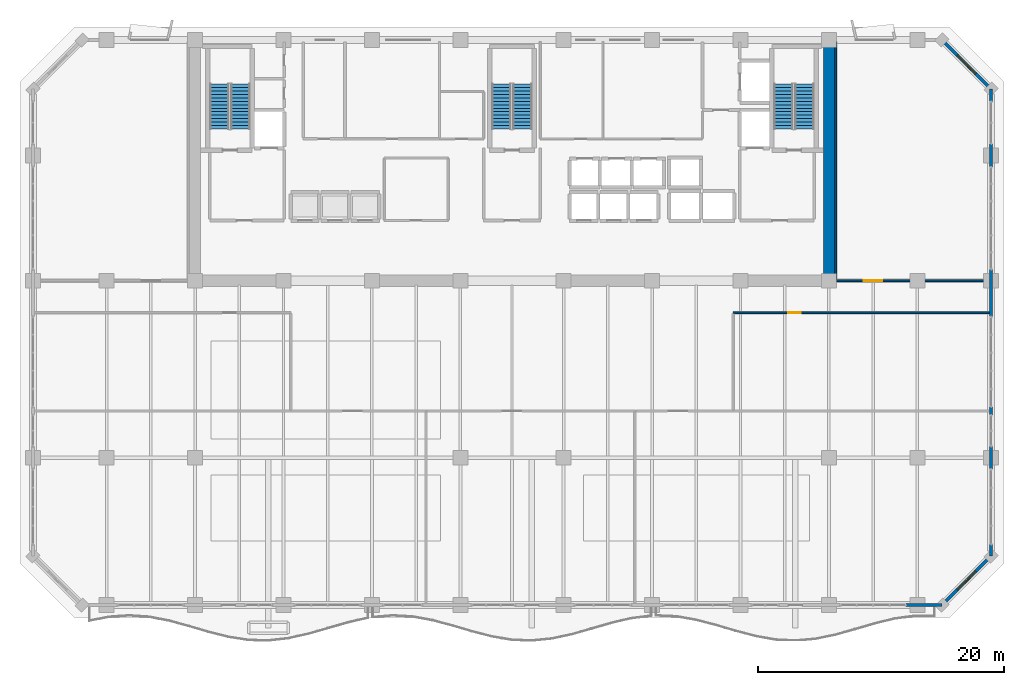
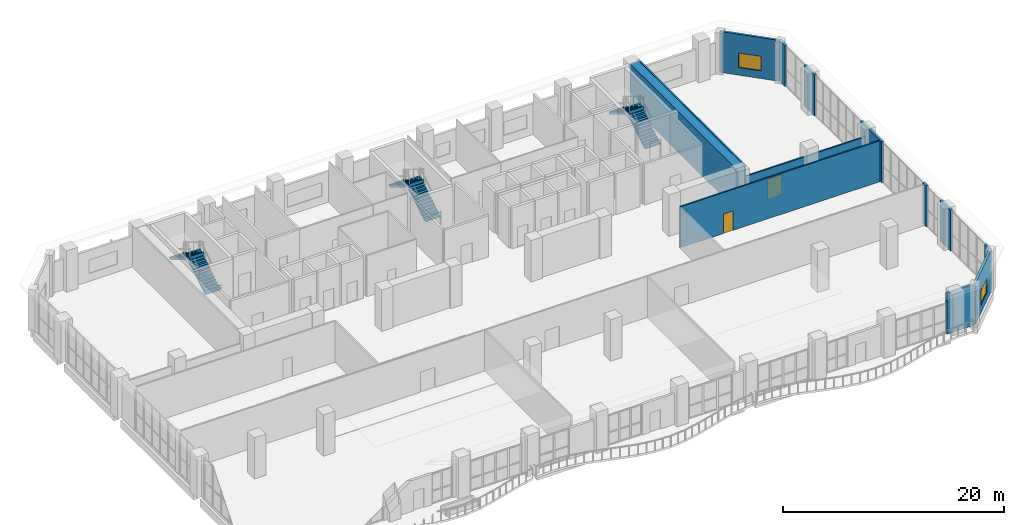
# One storey, part 33 of 37: 13 walls, 6 stair flights, 2 doors, 2 windows, 4 openings, 3 elements without a shape of their own.
"""IFC4 building model written with IfcOpenShell, lengths in metres."""

from ifc_helpers import new_model, si_unit, direction, frame, frame_2d, origin, place, context, subcontext, project, spatial, polyline, rectangle, outline, extrude, material, layer, layer_set, type_object, element, fill, aggregate, save


model = new_model("IFC4")

# Units and contexts
model_context = context("Model", 3, precision=1e-05, world=origin(), true_north=direction((0.0, 1.0)))
body_context = subcontext(model_context, "Body", "Model", "MODEL_VIEW")
ifc_project = project(units=[si_unit("LENGTHUNIT", "METRE"), si_unit("AREAUNIT", "SQUARE_METRE"), si_unit("VOLUMEUNIT", "CUBIC_METRE"), si_unit("PLANEANGLEUNIT", "RADIAN"), si_unit("MASSUNIT", "GRAM", prefix="KILO")], contexts=[model_context])

# Site, building, storey
site_placement = place(None, origin())
site = spatial("IfcSite", under=ifc_project, at=site_placement, CompositionType="ELEMENT")
building_placement = place(site_placement, origin())
building = spatial("IfcBuilding", under=site, at=building_placement, Name="Kaelvorn Grand Hotel", CompositionType="ELEMENT")
storey_placement = place(building_placement, frame((0.0, 0.0, 224.35009765625)))
storey = spatial("IfcBuildingStorey", under=building, at=storey_placement, Name="L55", CompositionType="ELEMENT", Elevation=224.35009765625)

# Walls
ifc_material_1 = material(Name="Concrete C60/75", Category="concrete")
ifc_layer_1 = layer(ifc_material_1, 0.89990234375)
ifc_layer_set_1 = layer_set([ifc_layer_1], Name="Concrete C60/75")
wall_type_1 = type_object("IfcWallType", Name="WL-CORE-900-C60", PredefinedType="SHEAR", material=ifc_layer_set_1)
wall_1_placement = place(storey_placement, frame((67.800048828125, 29.39990234375, 0.0), z_axis=(0.0, 0.0, 1.0), x_axis=(0.0, 1.0, 0.0)))
element("IfcWall", 1, at=wall_1_placement, inside=storey, type_object=wall_type_1, Name="L55 Rear-Core East Shear Wall", PredefinedType="SHEAR", context=body_context, shape_type="SweptSolid", body=[
    extrude(rectangle(XDim=19.2001953125, YDim=0.89990234375, at=frame_2d((9.60009765625, 0.0))), origin(), (0.0, 0.0, 1.0), 4.52001953125),
])
ifc_material_2 = material(Name="Concrete C40/50", Category="concrete")
ifc_layer_2 = layer(ifc_material_2, 0.239990234375)
ifc_layer_set_2 = layer_set([ifc_layer_2], Name="Concrete C40/50")
wall_type_2 = type_object("IfcWallType", Name="WL-EXT-240-C40", PredefinedType="SOLIDWALL", material=ifc_layer_set_2)
wall_2_placement = place(storey_placement, frame((74.074951171875, 3.0, 0.0), z_axis=(0.0, 0.0, 1.0), x_axis=(1.0, 0.0, 0.0)))
element("IfcWall", 2, at=wall_2_placement, inside=storey, type_object=wall_type_2, Name="L55 Exterior Architectural Concrete Wall 01 Pier 10", PredefinedType="SOLIDWALL", context=body_context, shape_type="SweptSolid", body=[
    extrude(rectangle(XDim=2.925048828125, YDim=0.239990234375, at=frame_2d((1.46240234375, 0.0))), origin(), (0.0, 0.0, 1.0), 4.52001953125),
])

# Wall, opening, window
wall_3_placement = place(storey_placement, frame((77.0, 3.0, 0.0), z_axis=(0.0, 0.0, 1.0), x_axis=(0.707106781187, 0.707106781187, 0.0)))
wall_3 = element("IfcWall", 3, at=wall_3_placement, inside=storey, type_object=wall_type_2, Name="L55 Exterior Architectural Concrete Wall 02", PredefinedType="SOLIDWALL", context=body_context, shape_type="SweptSolid", body=[
    extrude(rectangle(XDim=5.65673828125, YDim=0.239990234375, at=frame_2d((2.828369140625, 0.0))), origin(), (0.0, 0.0, 1.0), 4.52001953125),
])
opening_1_placement = place(wall_3_placement, frame((1.7783203125, 0.0, 0.85009765625)))
opening_1 = element("IfcOpeningElement", 4, at=opening_1_placement, cuts=wall_3, Name="Opening W7", PredefinedType="OPENING", context=body_context, shape_type="SweptSolid", body=[
    extrude(rectangle(XDim=2.10009765625, YDim=1.60009765625, at=frame_2d((1.050048828125, 0.800048828125))), frame((0.0, 0.1298828125, 0.0), z_axis=(0.0, -1.0, 0.0), x_axis=(1.0, 0.0, 0.0)), (0.0, 0.0, 1.0), 0.260009765625),
])
ifc_material_3 = material(Name="Laminated Low-E Glass", Category="glass")
window_type = type_object("IfcWindowType", Name="WIN-CHM-2100x1600", PartitioningType="SINGLE_PANEL", PredefinedType="WINDOW", material=ifc_material_3)
window_1_placement = place(opening_1_placement, origin())
window_1 = element("IfcWindow", 5, at=window_1_placement, inside=storey, type_object=window_type, Name="L55 Chamfered 45-Degree Corner Window SE", OverallHeight=1.60009765625, OverallWidth=2.10009765625, PartitioningType="SINGLE_PANEL", PredefinedType="WINDOW", context=body_context, shape_type="SweptSolid", body=[
    extrude(rectangle(XDim=2.10009765625, YDim=1.60009765625, at=frame_2d((1.050048828125, 0.800048828125))), frame((0.0, 0.030029296875, 0.0), z_axis=(0.0, -1.0, 0.0), x_axis=(1.0, 0.0, 0.0)), (0.0, 0.0, 1.0), 0.06005859375),
])
fill(opening_1, window_1)

# Walls
wall_4_placement = place(storey_placement, frame((81.0, 7.0, 0.0), z_axis=(0.0, 0.0, 1.0), x_axis=(0.0, 1.0, 0.0)))
element("IfcWall", 6, at=wall_4_placement, inside=storey, type_object=wall_type_2, Name="L55 Exterior Architectural Concrete Wall 03 Pier 1", PredefinedType="SOLIDWALL", context=body_context, shape_type="SweptSolid", body=[
    extrude(rectangle(XDim=0.925048828125, YDim=0.239990234375, at=frame_2d((0.46240234375, 0.0))), origin(), (0.0, 0.0, 1.0), 4.52001953125),
])
wall_5_placement = place(storey_placement, frame((81.0, 14.074951171875, 0.0), z_axis=(0.0, 0.0, 1.0), x_axis=(0.0, 1.0, 0.0)))
element("IfcWall", 7, at=wall_5_placement, inside=storey, type_object=wall_type_2, Name="L55 Exterior Architectural Concrete Wall 03 Pier 2", PredefinedType="SOLIDWALL", context=body_context, shape_type="SweptSolid", body=[
    extrude(rectangle(XDim=1.85009765625, YDim=0.239990234375, at=frame_2d((0.925048828125, 0.0))), origin(), (0.0, 0.0, 1.0), 4.52001953125),
])
wall_6_placement = place(storey_placement, frame((81.0, 18.47509765625, 0.0), z_axis=(0.0, 0.0, 1.0), x_axis=(0.0, 1.0, 0.0)))
element("IfcWall", 8, at=wall_6_placement, inside=storey, type_object=wall_type_2, Name="L55 Exterior Architectural Concrete Wall 03 Pier 3", PredefinedType="SOLIDWALL", context=body_context, shape_type="SweptSolid", body=[
    extrude(rectangle(XDim=0.64990234375, YDim=0.239990234375, at=frame_2d((0.324951171875, 0.0))), origin(), (0.0, 0.0, 1.0), 4.52001953125),
])
wall_7_placement = place(storey_placement, frame((81.0, 26.47509765625, 0.0), z_axis=(0.0, 0.0, 1.0), x_axis=(0.0, 1.0, 0.0)))
element("IfcWall", 9, at=wall_7_placement, inside=storey, type_object=wall_type_2, Name="L55 Exterior Architectural Concrete Wall 03 Pier 4", PredefinedType="SOLIDWALL", context=body_context, shape_type="SweptSolid", body=[
    extrude(rectangle(XDim=3.849853515625, YDim=0.239990234375, at=frame_2d((1.9248046875, 0.0))), origin(), (0.0, 0.0, 1.0), 4.52001953125),
])
wall_8_placement = place(storey_placement, frame((81.0, 38.675048828125, 0.0), z_axis=(0.0, 0.0, 1.0), x_axis=(0.0, 1.0, 0.0)))
element("IfcWall", 10, at=wall_8_placement, inside=storey, type_object=wall_type_2, Name="L55 Exterior Architectural Concrete Wall 03 Pier 5", PredefinedType="SOLIDWALL", context=body_context, shape_type="SweptSolid", body=[
    extrude(rectangle(XDim=1.849853515625, YDim=0.239990234375, at=frame_2d((0.9248046875, 0.0))), origin(), (0.0, 0.0, 1.0), 4.52001953125),
])
wall_9_placement = place(storey_placement, frame((81.0, 43.9951171875, 0.0), z_axis=(0.0, 0.0, 1.0), x_axis=(0.0, 1.0, 0.0)))
element("IfcWall", 11, at=wall_9_placement, inside=storey, type_object=wall_type_2, Name="L55 Exterior Architectural Concrete Wall 03 Pier 6", PredefinedType="SOLIDWALL", context=body_context, shape_type="SweptSolid", body=[
    extrude(rectangle(XDim=1.0048828125, YDim=0.239990234375, at=frame_2d((0.50244140625, 0.0))), origin(), (0.0, 0.0, 1.0), 4.52001953125),
])

# Wall, opening, window
wall_10_placement = place(storey_placement, frame((81.0, 45.0, 0.0), z_axis=(0.0, 0.0, 1.0), x_axis=(-0.707106781187, 0.707106781187, 0.0)))
wall_10 = element("IfcWall", 12, at=wall_10_placement, inside=storey, type_object=wall_type_2, Name="L55 Exterior Architectural Concrete Wall 04", PredefinedType="SOLIDWALL", context=body_context, shape_type="SweptSolid", body=[
    extrude(rectangle(XDim=5.65673828125, YDim=0.239990234375, at=frame_2d((2.828369140625, 0.0))), origin(), (0.0, 0.0, 1.0), 4.52001953125),
])
opening_2_placement = place(wall_10_placement, frame((1.7783203125, 0.0, 0.85009765625)))
opening_2 = element("IfcOpeningElement", 13, at=opening_2_placement, cuts=wall_10, Name="Opening W7", PredefinedType="OPENING", context=body_context, shape_type="SweptSolid", body=[
    extrude(rectangle(XDim=2.10009765625, YDim=1.60009765625, at=frame_2d((1.050048828125, 0.800048828125))), frame((0.0, 0.1298828125, 0.0), z_axis=(0.0, -1.0, 0.0), x_axis=(1.0, 0.0, 0.0)), (0.0, 0.0, 1.0), 0.260009765625),
])
window_2_placement = place(opening_2_placement, origin())
window_2 = element("IfcWindow", 14, at=window_2_placement, inside=storey, type_object=window_type, Name="L55 Chamfered 45-Degree Corner Window NE", OverallHeight=1.60009765625, OverallWidth=2.10009765625, PartitioningType="SINGLE_PANEL", PredefinedType="WINDOW", context=body_context, shape_type="SweptSolid", body=[
    extrude(rectangle(XDim=2.10009765625, YDim=1.60009765625, at=frame_2d((1.050048828125, 0.800048828125))), frame((0.0, 0.030029296875, 0.0), z_axis=(0.0, -1.0, 0.0), x_axis=(1.0, 0.0, 0.0)), (0.0, 0.0, 1.0), 0.06005859375),
])
fill(opening_2, window_2)

# Wall, opening, door
ifc_material_4 = material(Name="Acoustic Gypsum & Stud Partition")
ifc_layer_3 = layer(ifc_material_4, 0.14990234375)
ifc_layer_set_3 = layer_set([ifc_layer_3], Name="Acoustic Gypsum & Stud Partition")
wall_type_3 = type_object("IfcWallType", Name="WL-PART-150-EI60", PredefinedType="PARTITIONING", material=ifc_layer_set_3)
wall_11_placement = place(storey_placement, frame((60.0, 26.800048828125, 0.0), z_axis=(0.0, 0.0, 1.0), x_axis=(1.0, 0.0, 0.0)))
wall_11 = element("IfcWall", 15, at=wall_11_placement, inside=storey, type_object=wall_type_3, Name="L55 East Sky Meeting Salon N Partition", PredefinedType="PARTITIONING", context=body_context, shape_type="SweptSolid", body=[
    extrude(rectangle(XDim=20.85009765625, YDim=0.14990234375, at=frame_2d((10.425048828125, 0.0))), origin(), (0.0, 0.0, 1.0), 4.52001953125),
])
opening_3_placement = place(wall_11_placement, frame((4.5, 0.0, 0.0)))
opening_3 = element("IfcOpeningElement", 16, at=opening_3_placement, cuts=wall_11, Name="Opening DI3", PredefinedType="OPENING", context=body_context, shape_type="SweptSolid", body=[
    extrude(rectangle(XDim=1.0, YDim=2.14990234375, at=frame_2d((0.5, 1.074951171875))), frame((0.0, 0.0849609375, 0.0), z_axis=(0.0, -1.0, 0.0), x_axis=(1.0, 0.0, 0.0)), (0.0, 0.0, 1.0), 0.169921875),
])
ifc_material_5 = material(Name="Timber Veneer Fire Leaf", Category="wood")
door_type_1 = type_object("IfcDoorType", Name="DR-INT-GUEST-1000x2150", OperationType="NOTDEFINED", PredefinedType="DOOR", material=ifc_material_5)
door_1_placement = place(opening_3_placement, origin())
door_1 = element("IfcDoor", 17, at=door_1_placement, inside=storey, type_object=door_type_1, Name="L55 East Sky Meeting Salon Door", OperationType="SINGLE_SWING_RIGHT", OverallHeight=2.14990234375, OverallWidth=1.0, PredefinedType="DOOR", context=body_context, shape_type="SweptSolid", body=[
    extrude(rectangle(XDim=1.0, YDim=2.14990234375, at=frame_2d((0.5, 1.074951171875))), frame((0.0, 0.02490234375, 0.0), z_axis=(0.0, -1.0, 0.0), x_axis=(1.0, 0.0, 0.0)), (0.0, 0.0, 1.0), 0.050048828125),
])
fill(opening_3, door_1)

wall_12_placement = place(storey_placement, frame((68.35009765625, 29.39990234375, 0.0), z_axis=(0.0, 0.0, 1.0), x_axis=(1.0, 0.0, 0.0)))
wall_12 = element("IfcWall", 18, at=wall_12_placement, inside=storey, type_object=wall_type_3, Name="L55 Club Concierge Secretariat S Partition", PredefinedType="PARTITIONING", context=body_context, shape_type="SweptSolid", body=[
    extrude(rectangle(XDim=12.5, YDim=0.14990234375, at=frame_2d((6.25, 0.0))), origin(), (0.0, 0.0, 1.0), 3.39990234375),
])
opening_4_placement = place(wall_12_placement, frame((2.300048828125, 0.0, 0.0)))
opening_4 = element("IfcOpeningElement", 19, at=opening_4_placement, cuts=wall_12, Name="Opening DI5", PredefinedType="OPENING", context=body_context, shape_type="SweptSolid", body=[
    extrude(rectangle(XDim=1.5, YDim=2.25, at=frame_2d((0.75, 1.125))), frame((0.0, 0.0849609375, 0.0), z_axis=(0.0, -1.0, 0.0), x_axis=(1.0, 0.0, 0.0)), (0.0, 0.0, 1.0), 0.169921875),
])
door_type_2 = type_object("IfcDoorType", Name="DR-INT-SALON-1500x2250", OperationType="DOUBLE_DOOR_SINGLE_SWING", PredefinedType="DOOR", material=ifc_material_5)
door_2_placement = place(opening_4_placement, origin())
door_2 = element("IfcDoor", 20, at=door_2_placement, inside=storey, type_object=door_type_2, Name="L55 Club Concierge Secretariat Door", OperationType="DOUBLE_DOOR_SINGLE_SWING", OverallHeight=2.25, OverallWidth=1.5, PredefinedType="DOOR", context=body_context, shape_type="SweptSolid", body=[
    extrude(rectangle(XDim=1.5, YDim=2.25, at=frame_2d((0.75, 1.125))), frame((0.0, 0.02490234375, 0.0), z_axis=(0.0, -1.0, 0.0), x_axis=(1.0, 0.0, 0.0)), (0.0, 0.0, 1.0), 0.050048828125),
])
fill(opening_4, door_2)

# Wall
wall_13_placement = place(storey_placement, frame((68.35009765625, 29.47998046875, 0.0), z_axis=(0.0, 0.0, 1.0), x_axis=(0.0, 1.0, 0.0)))
element("IfcWall", 21, at=wall_13_placement, inside=storey, type_object=wall_type_3, Name="L55 Club Concierge Secretariat W Partition", PredefinedType="PARTITIONING", context=body_context, shape_type="SweptSolid", body=[
    extrude(rectangle(XDim=19.3701171875, YDim=0.14990234375, at=frame_2d((9.68505859375, 0.0))), origin(), (0.0, 0.0, 1.0), 4.52001953125),
])

# Stair, stair flights
stair_type = type_object("IfcStairType", Name="STR-DOG-1560-R07", PredefinedType="HALF_TURN_STAIR", material=ifc_material_2)
stair_1_placement = place(storey_placement, origin())
stair_1 = element("IfcStair", 22, at=stair_1_placement, inside=storey, type_object=stair_type, Name="L55 West Core Exit Stair ST1", PredefinedType="HALF_TURN_STAIR")
stair_flight_type = type_object("IfcStairFlightType", Name="FLG-DOG-1560-R07", PredefinedType="STRAIGHT", material=ifc_material_2)
stair_flight_1_placement = place(storey_placement, frame((19.89990234375, 41.760009765625, 0.0), z_axis=(0.0, 0.0, 1.0), x_axis=(0.0, 1.0, 0.0)))
stair_flight_1 = element("IfcStairFlight", 23, at=stair_flight_1_placement, type_object=stair_flight_type, Name="ST1 flight 1", NumberOfRisers=14, NumberOfTreads=13, PredefinedType="STRAIGHT", RiserHeight=0.171428571, TreadLength=0.28, context=body_context, shape_type="SweptSolid", body=[
    extrude(outline(polyline([(-0.0048828125, 0.0), (-0.0048828125, 0.0400390625), (0.0, 0.17138671875), (0.280029296875, 0.17138671875), (0.280029296875, 0.3427734375), (0.56005859375, 0.3427734375), (0.56005859375, 0.514404296875), (0.840087890625, 0.514404296875), (0.840087890625, 0.685791015625), (1.1201171875, 0.685791015625), (1.1201171875, 0.857177734375), (1.39990234375, 0.857177734375), (1.39990234375, 1.028564453125), (1.679931640625, 1.028564453125), (1.679931640625, 1.199951171875), (1.9599609375, 1.199951171875), (1.9599609375, 1.371337890625), (2.239990234375, 1.371337890625), (2.239990234375, 1.54296875), (2.52001953125, 1.54296875), (2.52001953125, 1.71435546875), (2.800048828125, 1.71435546875), (2.800048828125, 1.8857421875), (3.080078125, 1.8857421875), (3.080078125, 2.05712890625), (3.360107421875, 2.05712890625), (3.360107421875, 2.228515625), (3.639892578125, 2.228515625), (3.639892578125, 2.39990234375), (3.64501953125, 2.39990234375), (3.64501953125, 2.052734375), (0.287109375, 0.0), (-0.0048828125, 0.0)])), frame((0.0, 0.780029296875, 0.0), z_axis=(0.0, -1.0, 0.0), x_axis=(1.0, 0.0, 0.0)), (0.0, 0.0, 1.0), 1.56005859375),
])
stair_flight_2_placement = place(storey_placement, frame((18.179931640625, 45.39990234375, 2.39990234375), z_axis=(0.0, 0.0, 1.0), x_axis=(0.0, -1.0, 0.0)))
stair_flight_2 = element("IfcStairFlight", 24, at=stair_flight_2_placement, type_object=stair_flight_type, Name="ST1 flight 2", NumberOfRisers=14, NumberOfTreads=13, PredefinedType="STRAIGHT", RiserHeight=0.171428571, TreadLength=0.28, context=body_context, shape_type="SweptSolid", body=[
    extrude(outline(polyline([(-0.0048828125, 0.0), (-0.0048828125, 0.0400390625), (0.0, 0.17138671875), (0.280029296875, 0.17138671875), (0.280029296875, 0.3427734375), (0.56005859375, 0.3427734375), (0.56005859375, 0.514404296875), (0.840087890625, 0.514404296875), (0.840087890625, 0.685791015625), (1.1201171875, 0.685791015625), (1.1201171875, 0.857177734375), (1.39990234375, 0.857177734375), (1.39990234375, 1.028564453125), (1.679931640625, 1.028564453125), (1.679931640625, 1.199951171875), (1.9599609375, 1.199951171875), (1.9599609375, 1.371337890625), (2.239990234375, 1.371337890625), (2.239990234375, 1.54296875), (2.52001953125, 1.54296875), (2.52001953125, 1.71435546875), (2.800048828125, 1.71435546875), (2.800048828125, 1.8857421875), (3.080078125, 1.8857421875), (3.080078125, 2.05712890625), (3.360107421875, 2.05712890625), (3.360107421875, 2.228515625), (3.639892578125, 2.228515625), (3.639892578125, 2.39990234375), (3.64501953125, 2.39990234375), (3.64501953125, 2.052734375), (0.287109375, 0.0), (-0.0048828125, 0.0)])), frame((0.0, 0.780029296875, 0.0), z_axis=(0.0, -1.0, 0.0), x_axis=(1.0, 0.0, 0.0)), (0.0, 0.0, 1.0), 1.56005859375),
])
aggregate(stair_1, [stair_flight_1, stair_flight_2])

stair_2_placement = place(storey_placement, origin())
stair_2 = element("IfcStair", 25, at=stair_2_placement, inside=storey, type_object=stair_type, Name="L55 Central Core Exit Stair ST2", PredefinedType="HALF_TURN_STAIR")
stair_flight_3_placement = place(storey_placement, frame((42.860107421875, 41.760009765625, 0.0), z_axis=(0.0, 0.0, 1.0), x_axis=(0.0, 1.0, 0.0)))
stair_flight_3 = element("IfcStairFlight", 26, at=stair_flight_3_placement, type_object=stair_flight_type, Name="ST2 flight 1", NumberOfRisers=14, NumberOfTreads=13, PredefinedType="STRAIGHT", RiserHeight=0.171428571, TreadLength=0.28, context=body_context, shape_type="SweptSolid", body=[
    extrude(outline(polyline([(-0.0048828125, 0.0), (-0.0048828125, 0.0400390625), (0.0, 0.17138671875), (0.280029296875, 0.17138671875), (0.280029296875, 0.3427734375), (0.56005859375, 0.3427734375), (0.56005859375, 0.514404296875), (0.840087890625, 0.514404296875), (0.840087890625, 0.685791015625), (1.1201171875, 0.685791015625), (1.1201171875, 0.857177734375), (1.39990234375, 0.857177734375), (1.39990234375, 1.028564453125), (1.679931640625, 1.028564453125), (1.679931640625, 1.199951171875), (1.9599609375, 1.199951171875), (1.9599609375, 1.371337890625), (2.239990234375, 1.371337890625), (2.239990234375, 1.54296875), (2.52001953125, 1.54296875), (2.52001953125, 1.71435546875), (2.800048828125, 1.71435546875), (2.800048828125, 1.8857421875), (3.080078125, 1.8857421875), (3.080078125, 2.05712890625), (3.360107421875, 2.05712890625), (3.360107421875, 2.228515625), (3.639892578125, 2.228515625), (3.639892578125, 2.39990234375), (3.64501953125, 2.39990234375), (3.64501953125, 2.052734375), (0.287109375, 0.0), (-0.0048828125, 0.0)])), frame((0.0, 0.780029296875, 0.0), z_axis=(0.0, -1.0, 0.0), x_axis=(1.0, 0.0, 0.0)), (0.0, 0.0, 1.0), 1.56005859375),
])
stair_flight_4_placement = place(storey_placement, frame((41.139892578125, 45.39990234375, 2.39990234375), z_axis=(0.0, 0.0, 1.0), x_axis=(0.0, -1.0, 0.0)))
stair_flight_4 = element("IfcStairFlight", 27, at=stair_flight_4_placement, type_object=stair_flight_type, Name="ST2 flight 2", NumberOfRisers=14, NumberOfTreads=13, PredefinedType="STRAIGHT", RiserHeight=0.171428571, TreadLength=0.28, context=body_context, shape_type="SweptSolid", body=[
    extrude(outline(polyline([(-0.0048828125, 0.0), (-0.0048828125, 0.0400390625), (0.0, 0.17138671875), (0.280029296875, 0.17138671875), (0.280029296875, 0.3427734375), (0.56005859375, 0.3427734375), (0.56005859375, 0.514404296875), (0.840087890625, 0.514404296875), (0.840087890625, 0.685791015625), (1.1201171875, 0.685791015625), (1.1201171875, 0.857177734375), (1.39990234375, 0.857177734375), (1.39990234375, 1.028564453125), (1.679931640625, 1.028564453125), (1.679931640625, 1.199951171875), (1.9599609375, 1.199951171875), (1.9599609375, 1.371337890625), (2.239990234375, 1.371337890625), (2.239990234375, 1.54296875), (2.52001953125, 1.54296875), (2.52001953125, 1.71435546875), (2.800048828125, 1.71435546875), (2.800048828125, 1.8857421875), (3.080078125, 1.8857421875), (3.080078125, 2.05712890625), (3.360107421875, 2.05712890625), (3.360107421875, 2.228515625), (3.639892578125, 2.228515625), (3.639892578125, 2.39990234375), (3.64501953125, 2.39990234375), (3.64501953125, 2.052734375), (0.287109375, 0.0), (-0.0048828125, 0.0)])), frame((0.0, 0.780029296875, 0.0), z_axis=(0.0, -1.0, 0.0), x_axis=(1.0, 0.0, 0.0)), (0.0, 0.0, 1.0), 1.56005859375),
])
aggregate(stair_2, [stair_flight_3, stair_flight_4])

stair_3_placement = place(storey_placement, origin())
stair_3 = element("IfcStair", 28, at=stair_3_placement, inside=storey, type_object=stair_type, Name="L55 East Core Exit Stair ST3", PredefinedType="HALF_TURN_STAIR")
stair_flight_5_placement = place(storey_placement, frame((65.820068359375, 41.760009765625, 0.0), z_axis=(0.0, 0.0, 1.0), x_axis=(0.0, 1.0, 0.0)))
stair_flight_5 = element("IfcStairFlight", 29, at=stair_flight_5_placement, type_object=stair_flight_type, Name="ST3 flight 1", NumberOfRisers=14, NumberOfTreads=13, PredefinedType="STRAIGHT", RiserHeight=0.171428571, TreadLength=0.28, context=body_context, shape_type="SweptSolid", body=[
    extrude(outline(polyline([(-0.0048828125, 0.0), (-0.0048828125, 0.0400390625), (0.0, 0.17138671875), (0.280029296875, 0.17138671875), (0.280029296875, 0.3427734375), (0.56005859375, 0.3427734375), (0.56005859375, 0.514404296875), (0.840087890625, 0.514404296875), (0.840087890625, 0.685791015625), (1.1201171875, 0.685791015625), (1.1201171875, 0.857177734375), (1.39990234375, 0.857177734375), (1.39990234375, 1.028564453125), (1.679931640625, 1.028564453125), (1.679931640625, 1.199951171875), (1.9599609375, 1.199951171875), (1.9599609375, 1.371337890625), (2.239990234375, 1.371337890625), (2.239990234375, 1.54296875), (2.52001953125, 1.54296875), (2.52001953125, 1.71435546875), (2.800048828125, 1.71435546875), (2.800048828125, 1.8857421875), (3.080078125, 1.8857421875), (3.080078125, 2.05712890625), (3.360107421875, 2.05712890625), (3.360107421875, 2.228515625), (3.639892578125, 2.228515625), (3.639892578125, 2.39990234375), (3.64501953125, 2.39990234375), (3.64501953125, 2.052734375), (0.287109375, 0.0), (-0.0048828125, 0.0)])), frame((0.0, 0.780029296875, 0.0), z_axis=(0.0, -1.0, 0.0), x_axis=(1.0, 0.0, 0.0)), (0.0, 0.0, 1.0), 1.56005859375),
])
stair_flight_6_placement = place(storey_placement, frame((64.10009765625, 45.39990234375, 2.39990234375), z_axis=(0.0, 0.0, 1.0), x_axis=(0.0, -1.0, 0.0)))
stair_flight_6 = element("IfcStairFlight", 30, at=stair_flight_6_placement, type_object=stair_flight_type, Name="ST3 flight 2", NumberOfRisers=14, NumberOfTreads=13, PredefinedType="STRAIGHT", RiserHeight=0.171428571, TreadLength=0.28, context=body_context, shape_type="SweptSolid", body=[
    extrude(outline(polyline([(-0.0048828125, 0.0), (-0.0048828125, 0.0400390625), (0.0, 0.17138671875), (0.280029296875, 0.17138671875), (0.280029296875, 0.3427734375), (0.56005859375, 0.3427734375), (0.56005859375, 0.514404296875), (0.840087890625, 0.514404296875), (0.840087890625, 0.685791015625), (1.1201171875, 0.685791015625), (1.1201171875, 0.857177734375), (1.39990234375, 0.857177734375), (1.39990234375, 1.028564453125), (1.679931640625, 1.028564453125), (1.679931640625, 1.199951171875), (1.9599609375, 1.199951171875), (1.9599609375, 1.371337890625), (2.239990234375, 1.371337890625), (2.239990234375, 1.54296875), (2.52001953125, 1.54296875), (2.52001953125, 1.71435546875), (2.800048828125, 1.71435546875), (2.800048828125, 1.8857421875), (3.080078125, 1.8857421875), (3.080078125, 2.05712890625), (3.360107421875, 2.05712890625), (3.360107421875, 2.228515625), (3.639892578125, 2.228515625), (3.639892578125, 2.39990234375), (3.64501953125, 2.39990234375), (3.64501953125, 2.052734375), (0.287109375, 0.0), (-0.0048828125, 0.0)])), frame((0.0, 0.780029296875, 0.0), z_axis=(0.0, -1.0, 0.0), x_axis=(1.0, 0.0, 0.0)), (0.0, 0.0, 1.0), 1.56005859375),
])
aggregate(stair_3, [stair_flight_5, stair_flight_6])

save(model, "model.ifc")
